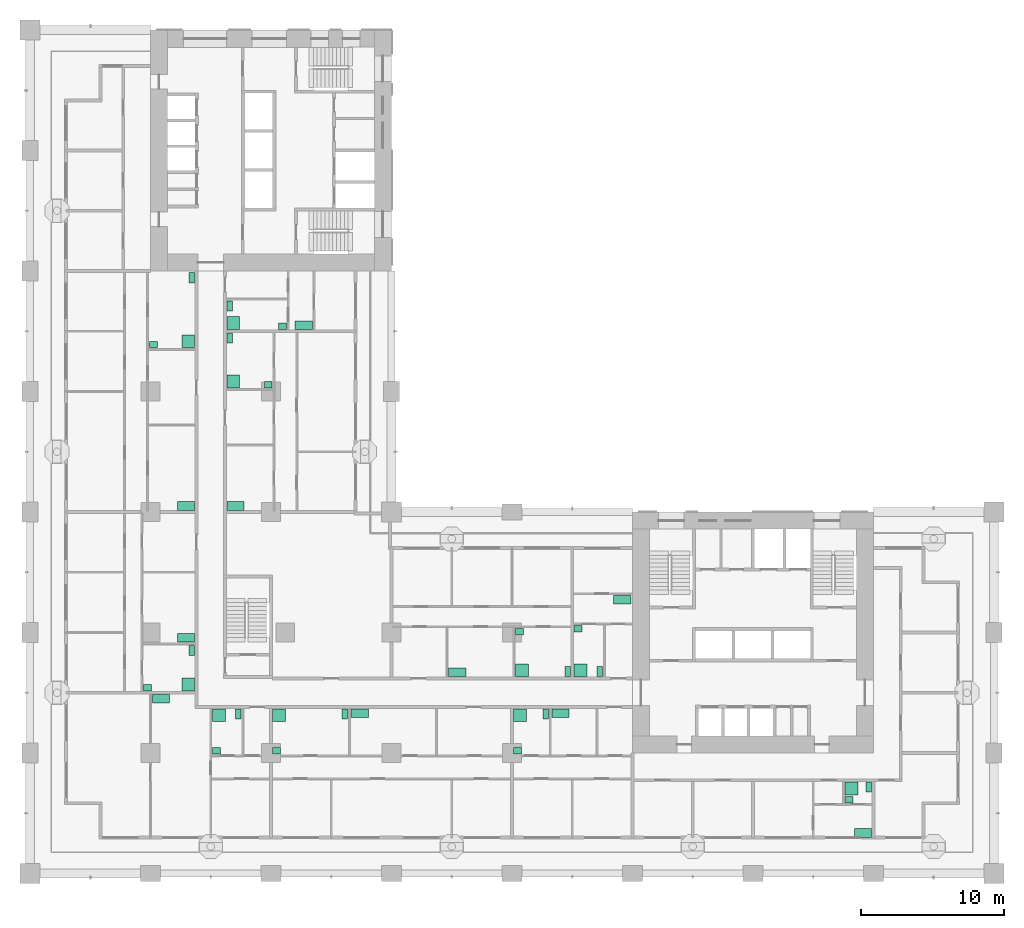
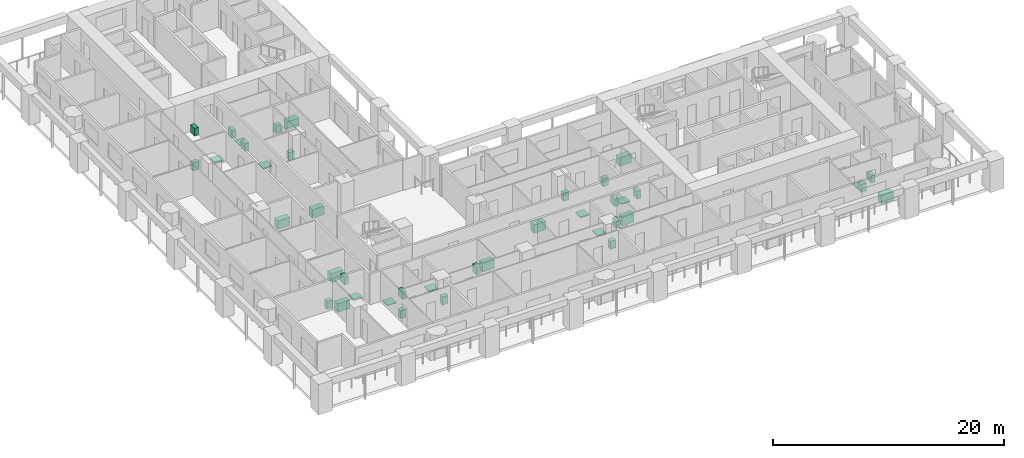
# One storey, part 18 of 20: 40 sanitary terminals.
"""IFC4 building model written with IfcOpenShell, lengths in metres."""

from ifc_helpers import new_model, si_unit, direction, frame, origin, origin_2d, place, context, subcontext, project, spatial, rectangle, extrude, material, element, save


model = new_model("IFC4")

# Units and contexts
model_context = context("Model", 3, precision=1e-05, world=origin(), true_north=direction((0.0, 1.0)))
body_context = subcontext(model_context, "Body", "Model", "MODEL_VIEW")
ifc_project = project(units=[si_unit("LENGTHUNIT", "METRE"), si_unit("AREAUNIT", "SQUARE_METRE"), si_unit("VOLUMEUNIT", "CUBIC_METRE"), si_unit("PLANEANGLEUNIT", "RADIAN"), si_unit("MASSUNIT", "GRAM", prefix="KILO")], contexts=[model_context])

# Site, building, storey
site_placement = place(None, origin())
site = spatial("IfcSite", under=ifc_project, at=site_placement, CompositionType="ELEMENT")
building_placement = place(site_placement, origin())
building = spatial("IfcBuilding", under=site, at=building_placement, Name="Vermilion Gate Residences", CompositionType="ELEMENT")
storey_placement = place(building_placement, frame((0.0, 0.0, 35.699951171875)))
storey = spatial("IfcBuildingStorey", under=building, at=storey_placement, Name="L07", CompositionType="ELEMENT", Elevation=35.699951171875)

# Sanitary terminals
ifc_material_1 = material(Name="Stainless steel", Category="steel")
sanitary_terminal_1_placement = place(storey_placement, frame((9.1201171875, 12.179931640625, 0.0), z_axis=(0.0, 0.0, 1.0), x_axis=(1.0, 0.0, 0.0)))
element("IfcSanitaryTerminal", 1, at=sanitary_terminal_1_placement, inside=storey, material=ifc_material_1, Name="Kitchen sink", PredefinedType="SINK", context=body_context, shape_type="SweptSolid", body=[
    extrude(rectangle(XDim=1.199951171875, YDim=0.60009765625, at=origin_2d()), origin(), (0.0, 0.0, 1.0), 0.89990234375),
])
ifc_material_2 = material(Name="Vitreous china")
sanitary_terminal_2_placement = place(storey_placement, frame((13.169921875, 11.030029296875, 0.0), z_axis=(0.0, 0.0, 1.0), x_axis=(1.0, 0.0, 0.0)))
element("IfcSanitaryTerminal", 2, at=sanitary_terminal_2_placement, inside=storey, material=ifc_material_2, Name="Shower tray", PredefinedType="SHOWER", context=body_context, shape_type="SweptSolid", body=[
    extrude(rectangle(XDim=0.89990234375, YDim=0.89990234375, at=origin_2d()), origin(), (0.0, 0.0, 1.0), 0.10009765625),
])
sanitary_terminal_3_placement = place(storey_placement, frame((14.52001953125, 11.1298828125, 0.0), z_axis=(0.0, 0.0, 1.0), x_axis=(1.0, 0.0, 0.0)))
element("IfcSanitaryTerminal", 3, at=sanitary_terminal_3_placement, inside=storey, material=ifc_material_2, Name="Toilet", PredefinedType="TOILETPAN", context=body_context, shape_type="SweptSolid", body=[
    extrude(rectangle(XDim=0.39990234375, YDim=0.699951171875, at=origin_2d()), origin(), (0.0, 0.0, 1.0), 0.800048828125),
])
sanitary_terminal_4_placement = place(storey_placement, frame((12.9951171875, 8.544921875, 0.0), z_axis=(0.0, 0.0, 1.0), x_axis=(1.0, 0.0, 0.0)))
element("IfcSanitaryTerminal", 4, at=sanitary_terminal_4_placement, inside=storey, material=ifc_material_2, Name="Wash basin", PredefinedType="WASHHANDBASIN", context=body_context, shape_type="SweptSolid", body=[
    extrude(rectangle(XDim=0.550048828125, YDim=0.449951171875, at=origin_2d()), origin(), (0.0, 0.0, 1.0), 0.85009765625),
])
sanitary_terminal_5_placement = place(storey_placement, frame((17.3701171875, 11.030029296875, 0.0), z_axis=(0.0, 0.0, 1.0), x_axis=(1.0, 0.0, 0.0)))
element("IfcSanitaryTerminal", 5, at=sanitary_terminal_5_placement, inside=storey, material=ifc_material_2, Name="Shower tray", PredefinedType="SHOWER", context=body_context, shape_type="SweptSolid", body=[
    extrude(rectangle(XDim=0.89990234375, YDim=0.89990234375, at=origin_2d()), origin(), (0.0, 0.0, 1.0), 0.10009765625),
])
sanitary_terminal_6_placement = place(storey_placement, frame((21.947021484375, 11.1298828125, 0.0), z_axis=(0.0, 0.0, 1.0), x_axis=(1.0, 0.0, 0.0)))
element("IfcSanitaryTerminal", 6, at=sanitary_terminal_6_placement, inside=storey, material=ifc_material_2, Name="Toilet", PredefinedType="TOILETPAN", context=body_context, shape_type="SweptSolid", body=[
    extrude(rectangle(XDim=0.39990234375, YDim=0.699951171875, at=origin_2d()), origin(), (0.0, 0.0, 1.0), 0.800048828125),
])
sanitary_terminal_7_placement = place(storey_placement, frame((17.195068359375, 8.544921875, 0.0), z_axis=(0.0, 0.0, 1.0), x_axis=(1.0, 0.0, 0.0)))
element("IfcSanitaryTerminal", 7, at=sanitary_terminal_7_placement, inside=storey, material=ifc_material_2, Name="Wash basin", PredefinedType="WASHHANDBASIN", context=body_context, shape_type="SweptSolid", body=[
    extrude(rectangle(XDim=0.550048828125, YDim=0.449951171875, at=origin_2d()), origin(), (0.0, 0.0, 1.0), 0.85009765625),
])
sanitary_terminal_8_placement = place(storey_placement, frame((22.987060546875, 11.179931640625, 0.0), z_axis=(0.0, 0.0, 1.0), x_axis=(1.0, 0.0, 0.0)))
element("IfcSanitaryTerminal", 8, at=sanitary_terminal_8_placement, inside=storey, material=ifc_material_1, Name="Kitchen sink", PredefinedType="SINK", context=body_context, shape_type="SweptSolid", body=[
    extrude(rectangle(XDim=1.199951171875, YDim=0.60009765625, at=origin_2d()), origin(), (0.0, 0.0, 1.0), 0.89990234375),
])
sanitary_terminal_9_placement = place(storey_placement, frame((34.169921875, 11.030029296875, 0.0), z_axis=(0.0, 0.0, 1.0), x_axis=(1.0, 0.0, 0.0)))
element("IfcSanitaryTerminal", 9, at=sanitary_terminal_9_placement, inside=storey, material=ifc_material_2, Name="Shower tray", PredefinedType="SHOWER", context=body_context, shape_type="SweptSolid", body=[
    extrude(rectangle(XDim=0.89990234375, YDim=0.89990234375, at=origin_2d()), origin(), (0.0, 0.0, 1.0), 0.10009765625),
])
sanitary_terminal_10_placement = place(storey_placement, frame((35.947021484375, 11.1298828125, 0.0), z_axis=(0.0, 0.0, 1.0), x_axis=(1.0, 0.0, 0.0)))
element("IfcSanitaryTerminal", 10, at=sanitary_terminal_10_placement, inside=storey, material=ifc_material_2, Name="Toilet", PredefinedType="TOILETPAN", context=body_context, shape_type="SweptSolid", body=[
    extrude(rectangle(XDim=0.39990234375, YDim=0.699951171875, at=origin_2d()), origin(), (0.0, 0.0, 1.0), 0.800048828125),
])
sanitary_terminal_11_placement = place(storey_placement, frame((33.9951171875, 8.544921875, 0.0), z_axis=(0.0, 0.0, 1.0), x_axis=(1.0, 0.0, 0.0)))
element("IfcSanitaryTerminal", 11, at=sanitary_terminal_11_placement, inside=storey, material=ifc_material_2, Name="Wash basin", PredefinedType="WASHHANDBASIN", context=body_context, shape_type="SweptSolid", body=[
    extrude(rectangle(XDim=0.550048828125, YDim=0.449951171875, at=origin_2d()), origin(), (0.0, 0.0, 1.0), 0.85009765625),
])
for number, where, z_axis, x_axis, name in (
    (12, (36.987060546875, 11.179931640625, 0.0), (0.0, 0.0, 1.0), (1.0, 0.0, 0.0), "Kitchen sink"),
    (13, (29.787109375, 14.02001953125, 0.0), (0.0, 0.0, 1.0), (1.0, 0.0, 0.0), "Kitchen sink"),
):
    element("IfcSanitaryTerminal", number, at=place(storey_placement, frame(where, z_axis=z_axis, x_axis=x_axis)), inside=storey, material=ifc_material_1, Name=name, PredefinedType="SINK", context=body_context, shape_type="SweptSolid", body=[
        extrude(rectangle(XDim=1.199951171875, YDim=0.60009765625, at=origin_2d()), origin(), (0.0, 0.0, 1.0), 0.89990234375),
    ])
sanitary_terminal_12_placement = place(storey_placement, frame((34.302978515625, 14.169921875, 0.0), z_axis=(0.0, 0.0, 1.0), x_axis=(1.0, 0.0, 0.0)))
element("IfcSanitaryTerminal", 14, at=sanitary_terminal_12_placement, inside=storey, material=ifc_material_2, Name="Shower tray", PredefinedType="SHOWER", context=body_context, shape_type="SweptSolid", body=[
    extrude(rectangle(XDim=0.89990234375, YDim=0.89990234375, at=origin_2d()), origin(), (0.0, 0.0, 1.0), 0.10009765625),
])
sanitary_terminal_13_placement = place(storey_placement, frame((37.47998046875, 14.070068359375, 0.0), z_axis=(0.0, 0.0, 1.0), x_axis=(1.0, 0.0, 0.0)))
element("IfcSanitaryTerminal", 15, at=sanitary_terminal_13_placement, inside=storey, material=ifc_material_2, Name="Toilet", PredefinedType="TOILETPAN", context=body_context, shape_type="SweptSolid", body=[
    extrude(rectangle(XDim=0.39990234375, YDim=0.699951171875, at=origin_2d()), origin(), (0.0, 0.0, 1.0), 0.800048828125),
])
sanitary_terminal_14_placement = place(storey_placement, frame((34.1279296875, 16.85498046875, 0.0), z_axis=(0.0, 0.0, 1.0), x_axis=(1.0, 0.0, 0.0)))
element("IfcSanitaryTerminal", 16, at=sanitary_terminal_14_placement, inside=storey, material=ifc_material_2, Name="Wash basin", PredefinedType="WASHHANDBASIN", context=body_context, shape_type="SweptSolid", body=[
    extrude(rectangle(XDim=0.550048828125, YDim=0.449951171875, at=origin_2d()), origin(), (0.0, 0.0, 1.0), 0.85009765625),
])
sanitary_terminal_15_placement = place(storey_placement, frame((41.280029296875, 19.080078125, 0.0), z_axis=(0.0, 0.0, 1.0), x_axis=(1.0, 0.0, 0.0)))
element("IfcSanitaryTerminal", 17, at=sanitary_terminal_15_placement, inside=storey, material=ifc_material_1, Name="Kitchen sink", PredefinedType="SINK", context=body_context, shape_type="SweptSolid", body=[
    extrude(rectangle(XDim=1.199951171875, YDim=0.60009765625, at=origin_2d()), origin(), (0.0, 0.0, 1.0), 0.89990234375),
])
sanitary_terminal_16_placement = place(storey_placement, frame((38.3701171875, 14.169921875, 0.0), z_axis=(0.0, 0.0, 1.0), x_axis=(1.0, 0.0, 0.0)))
element("IfcSanitaryTerminal", 18, at=sanitary_terminal_16_placement, inside=storey, material=ifc_material_2, Name="Shower tray", PredefinedType="SHOWER", context=body_context, shape_type="SweptSolid", body=[
    extrude(rectangle(XDim=0.89990234375, YDim=0.89990234375, at=origin_2d()), origin(), (0.0, 0.0, 1.0), 0.10009765625),
])
sanitary_terminal_17_placement = place(storey_placement, frame((39.719970703125, 14.070068359375, 0.0), z_axis=(0.0, 0.0, 1.0), x_axis=(1.0, 0.0, 0.0)))
element("IfcSanitaryTerminal", 19, at=sanitary_terminal_17_placement, inside=storey, material=ifc_material_2, Name="Toilet", PredefinedType="TOILETPAN", context=body_context, shape_type="SweptSolid", body=[
    extrude(rectangle(XDim=0.39990234375, YDim=0.699951171875, at=origin_2d()), origin(), (0.0, 0.0, 1.0), 0.800048828125),
])
sanitary_terminal_18_placement = place(storey_placement, frame((38.195068359375, 17.054931640625, 0.0), z_axis=(0.0, 0.0, 1.0), x_axis=(1.0, 0.0, 0.0)))
element("IfcSanitaryTerminal", 20, at=sanitary_terminal_18_placement, inside=storey, material=ifc_material_2, Name="Wash basin", PredefinedType="WASHHANDBASIN", context=body_context, shape_type="SweptSolid", body=[
    extrude(rectangle(XDim=0.550048828125, YDim=0.449951171875, at=origin_2d()), origin(), (0.0, 0.0, 1.0), 0.85009765625),
])
sanitary_terminal_19_placement = place(storey_placement, frame((11.030029296875, 13.169921875, 0.0), z_axis=(0.0, 0.0, 1.0), x_axis=(1.0, 0.0, 0.0)))
element("IfcSanitaryTerminal", 21, at=sanitary_terminal_19_placement, inside=storey, material=ifc_material_2, Name="Shower tray", PredefinedType="SHOWER", context=body_context, shape_type="SweptSolid", body=[
    extrude(rectangle(XDim=0.89990234375, YDim=0.89990234375, at=origin_2d()), origin(), (0.0, 0.0, 1.0), 0.10009765625),
])
sanitary_terminal_20_placement = place(storey_placement, frame((11.280029296875, 15.530029296875, 0.0), z_axis=(0.0, 0.0, 1.0), x_axis=(1.0, 0.0, 0.0)))
element("IfcSanitaryTerminal", 22, at=sanitary_terminal_20_placement, inside=storey, material=ifc_material_2, Name="Toilet", PredefinedType="TOILETPAN", context=body_context, shape_type="SweptSolid", body=[
    extrude(rectangle(XDim=0.39990234375, YDim=0.699951171875, at=origin_2d()), origin(), (0.0, 0.0, 1.0), 0.800048828125),
])
sanitary_terminal_21_placement = place(storey_placement, frame((8.195068359375, 12.945068359375, 0.0), z_axis=(0.0, 0.0, 1.0), x_axis=(1.0, 0.0, 0.0)))
element("IfcSanitaryTerminal", 23, at=sanitary_terminal_21_placement, inside=storey, material=ifc_material_2, Name="Wash basin", PredefinedType="WASHHANDBASIN", context=body_context, shape_type="SweptSolid", body=[
    extrude(rectangle(XDim=0.550048828125, YDim=0.449951171875, at=origin_2d()), origin(), (0.0, 0.0, 1.0), 0.85009765625),
])
for number, where, z_axis, x_axis, name in (
    (24, (10.8798828125, 16.419921875, 0.0), (0.0, 0.0, 1.0), (1.0, 0.0, 0.0), "Kitchen sink"),
    (25, (10.8798828125, 25.6201171875, 0.0), (0.0, 0.0, 1.0), (1.0, 0.0, 0.0), "Kitchen sink"),
):
    element("IfcSanitaryTerminal", number, at=place(storey_placement, frame(where, z_axis=z_axis, x_axis=x_axis)), inside=storey, material=ifc_material_1, Name=name, PredefinedType="SINK", context=body_context, shape_type="SweptSolid", body=[
        extrude(rectangle(XDim=1.199951171875, YDim=0.60009765625, at=origin_2d()), origin(), (0.0, 0.0, 1.0), 0.89990234375),
    ])
sanitary_terminal_22_placement = place(storey_placement, frame((11.030029296875, 37.10302734375, 0.0), z_axis=(0.0, 0.0, 1.0), x_axis=(1.0, 0.0, 0.0)))
element("IfcSanitaryTerminal", 26, at=sanitary_terminal_22_placement, inside=storey, material=ifc_material_2, Name="Shower tray", PredefinedType="SHOWER", context=body_context, shape_type="SweptSolid", body=[
    extrude(rectangle(XDim=0.89990234375, YDim=0.89990234375, at=origin_2d()), origin(), (0.0, 0.0, 1.0), 0.10009765625),
])
sanitary_terminal_23_placement = place(storey_placement, frame((11.280029296875, 41.530029296875, 0.0), z_axis=(0.0, 0.0, 1.0), x_axis=(1.0, 0.0, 0.0)))
element("IfcSanitaryTerminal", 27, at=sanitary_terminal_23_placement, inside=storey, material=ifc_material_2, Name="Toilet", PredefinedType="TOILETPAN", context=body_context, shape_type="SweptSolid", body=[
    extrude(rectangle(XDim=0.39990234375, YDim=0.699951171875, at=origin_2d()), origin(), (0.0, 0.0, 1.0), 0.800048828125),
])
sanitary_terminal_24_placement = place(storey_placement, frame((8.594970703125, 36.8779296875, 0.0), z_axis=(0.0, 0.0, 1.0), x_axis=(1.0, 0.0, 0.0)))
element("IfcSanitaryTerminal", 28, at=sanitary_terminal_24_placement, inside=storey, material=ifc_material_2, Name="Wash basin", PredefinedType="WASHHANDBASIN", context=body_context, shape_type="SweptSolid", body=[
    extrude(rectangle(XDim=0.550048828125, YDim=0.449951171875, at=origin_2d()), origin(), (0.0, 0.0, 1.0), 0.85009765625),
])
sanitary_terminal_25_placement = place(storey_placement, frame((14.320068359375, 25.6201171875, 0.0), z_axis=(0.0, 0.0, 1.0), x_axis=(1.0, 0.0, 0.0)))
element("IfcSanitaryTerminal", 29, at=sanitary_terminal_25_placement, inside=storey, material=ifc_material_1, Name="Kitchen sink", PredefinedType="SINK", context=body_context, shape_type="SweptSolid", body=[
    extrude(rectangle(XDim=1.199951171875, YDim=0.60009765625, at=origin_2d()), origin(), (0.0, 0.0, 1.0), 0.89990234375),
])
sanitary_terminal_26_placement = place(storey_placement, frame((14.169921875, 34.302978515625, 0.0), z_axis=(0.0, 0.0, 1.0), x_axis=(1.0, 0.0, 0.0)))
element("IfcSanitaryTerminal", 30, at=sanitary_terminal_26_placement, inside=storey, material=ifc_material_2, Name="Shower tray", PredefinedType="SHOWER", context=body_context, shape_type="SweptSolid", body=[
    extrude(rectangle(XDim=0.89990234375, YDim=0.89990234375, at=origin_2d()), origin(), (0.0, 0.0, 1.0), 0.10009765625),
])
sanitary_terminal_27_placement = place(storey_placement, frame((13.919921875, 37.330078125, 0.0), z_axis=(0.0, 0.0, 1.0), x_axis=(1.0, 0.0, 0.0)))
element("IfcSanitaryTerminal", 31, at=sanitary_terminal_27_placement, inside=storey, material=ifc_material_2, Name="Toilet", PredefinedType="TOILETPAN", context=body_context, shape_type="SweptSolid", body=[
    extrude(rectangle(XDim=0.39990234375, YDim=0.699951171875, at=origin_2d()), origin(), (0.0, 0.0, 1.0), 0.800048828125),
])
sanitary_terminal_28_placement = place(storey_placement, frame((16.60498046875, 34.077880859375, 0.0), z_axis=(0.0, 0.0, 1.0), x_axis=(1.0, 0.0, 0.0)))
element("IfcSanitaryTerminal", 32, at=sanitary_terminal_28_placement, inside=storey, material=ifc_material_2, Name="Wash basin", PredefinedType="WASHHANDBASIN", context=body_context, shape_type="SweptSolid", body=[
    extrude(rectangle(XDim=0.550048828125, YDim=0.449951171875, at=origin_2d()), origin(), (0.0, 0.0, 1.0), 0.85009765625),
])
sanitary_terminal_29_placement = place(storey_placement, frame((19.080078125, 38.219970703125, 0.0), z_axis=(0.0, 0.0, 1.0), x_axis=(1.0, 0.0, 0.0)))
element("IfcSanitaryTerminal", 33, at=sanitary_terminal_29_placement, inside=storey, material=ifc_material_1, Name="Kitchen sink", PredefinedType="SINK", context=body_context, shape_type="SweptSolid", body=[
    extrude(rectangle(XDim=1.199951171875, YDim=0.60009765625, at=origin_2d()), origin(), (0.0, 0.0, 1.0), 0.89990234375),
])
sanitary_terminal_30_placement = place(storey_placement, frame((14.169921875, 38.3701171875, 0.0), z_axis=(0.0, 0.0, 1.0), x_axis=(1.0, 0.0, 0.0)))
element("IfcSanitaryTerminal", 34, at=sanitary_terminal_30_placement, inside=storey, material=ifc_material_2, Name="Shower tray", PredefinedType="SHOWER", context=body_context, shape_type="SweptSolid", body=[
    extrude(rectangle(XDim=0.89990234375, YDim=0.89990234375, at=origin_2d()), origin(), (0.0, 0.0, 1.0), 0.10009765625),
])
sanitary_terminal_31_placement = place(storey_placement, frame((13.919921875, 39.570068359375, 0.0), z_axis=(0.0, 0.0, 1.0), x_axis=(1.0, 0.0, 0.0)))
element("IfcSanitaryTerminal", 35, at=sanitary_terminal_31_placement, inside=storey, material=ifc_material_2, Name="Toilet", PredefinedType="TOILETPAN", context=body_context, shape_type="SweptSolid", body=[
    extrude(rectangle(XDim=0.39990234375, YDim=0.699951171875, at=origin_2d()), origin(), (0.0, 0.0, 1.0), 0.800048828125),
])
sanitary_terminal_32_placement = place(storey_placement, frame((17.60498046875, 38.14501953125, 0.0), z_axis=(0.0, 0.0, 1.0), x_axis=(1.0, 0.0, 0.0)))
element("IfcSanitaryTerminal", 36, at=sanitary_terminal_32_placement, inside=storey, material=ifc_material_2, Name="Wash basin", PredefinedType="WASHHANDBASIN", context=body_context, shape_type="SweptSolid", body=[
    extrude(rectangle(XDim=0.550048828125, YDim=0.449951171875, at=origin_2d()), origin(), (0.0, 0.0, 1.0), 0.85009765625),
])
sanitary_terminal_33_placement = place(storey_placement, frame((58.080078125, 2.820068359375, 0.0), z_axis=(0.0, 0.0, 1.0), x_axis=(1.0, 0.0, 0.0)))
element("IfcSanitaryTerminal", 37, at=sanitary_terminal_33_placement, inside=storey, material=ifc_material_1, Name="Kitchen sink", PredefinedType="SINK", context=body_context, shape_type="SweptSolid", body=[
    extrude(rectangle(XDim=1.199951171875, YDim=0.60009765625, at=origin_2d()), origin(), (0.0, 0.0, 1.0), 0.89990234375),
])
sanitary_terminal_34_placement = place(storey_placement, frame((57.27001953125, 5.929931640625, 0.0), z_axis=(0.0, 0.0, 1.0), x_axis=(1.0, 0.0, 0.0)))
element("IfcSanitaryTerminal", 38, at=sanitary_terminal_34_placement, inside=storey, material=ifc_material_2, Name="Shower tray", PredefinedType="SHOWER", context=body_context, shape_type="SweptSolid", body=[
    extrude(rectangle(XDim=0.89990234375, YDim=0.89990234375, at=origin_2d()), origin(), (0.0, 0.0, 1.0), 0.10009765625),
])
sanitary_terminal_35_placement = place(storey_placement, frame((58.47998046875, 6.030029296875, 0.0), z_axis=(0.0, 0.0, 1.0), x_axis=(1.0, 0.0, 0.0)))
element("IfcSanitaryTerminal", 39, at=sanitary_terminal_35_placement, inside=storey, material=ifc_material_2, Name="Toilet", PredefinedType="TOILETPAN", context=body_context, shape_type="SweptSolid", body=[
    extrude(rectangle(XDim=0.39990234375, YDim=0.699951171875, at=origin_2d()), origin(), (0.0, 0.0, 1.0), 0.800048828125),
])
sanitary_terminal_36_placement = place(storey_placement, frame((57.094970703125, 5.14501953125, 0.0), z_axis=(0.0, 0.0, 1.0), x_axis=(1.0, 0.0, 0.0)))
element("IfcSanitaryTerminal", 40, at=sanitary_terminal_36_placement, inside=storey, material=ifc_material_2, Name="Wash basin", PredefinedType="WASHHANDBASIN", context=body_context, shape_type="SweptSolid", body=[
    extrude(rectangle(XDim=0.550048828125, YDim=0.449951171875, at=origin_2d()), origin(), (0.0, 0.0, 1.0), 0.85009765625),
])

save(model, "model.ifc")
